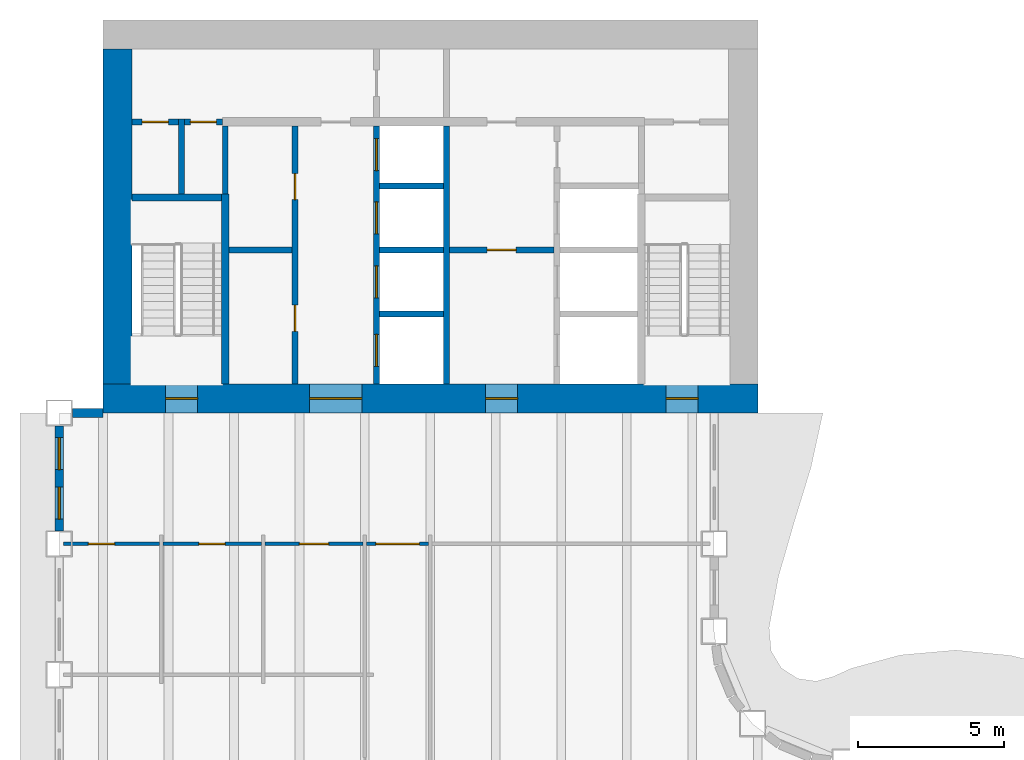
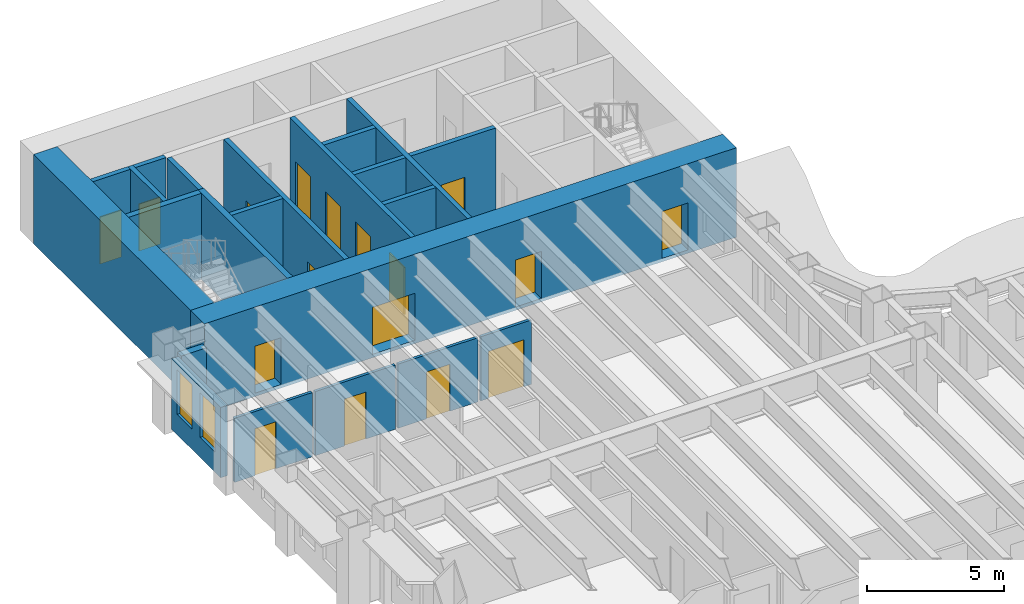
# One storey, part 9 of 17: 22 walls, 17 doors, 2 windows, 19 openings.
"""IFC4 building model written with IfcOpenShell, lengths in metres."""

from ifc_helpers import new_model, si_unit, direction, frame, frame_2d, origin, place, context, subcontext, project, spatial, rectangle, extrude, material, layer, layer_set, type_object, element, fill, save


model = new_model("IFC4")

# Units and contexts
model_context = context("Model", 3, precision=1e-05, world=origin(), true_north=direction((0.0, 1.0)))
body_context = subcontext(model_context, "Body", "Model", "MODEL_VIEW")
ifc_project = project(units=[si_unit("LENGTHUNIT", "METRE"), si_unit("AREAUNIT", "SQUARE_METRE"), si_unit("VOLUMEUNIT", "CUBIC_METRE"), si_unit("PLANEANGLEUNIT", "RADIAN"), si_unit("MASSUNIT", "GRAM", prefix="KILO")], contexts=[model_context])

# Site, building, storey
site_placement = place(None, origin())
site = spatial("IfcSite", under=ifc_project, at=site_placement, CompositionType="ELEMENT")
building_placement = place(site_placement, origin())
building = spatial("IfcBuilding", under=site, at=building_placement, Name="Sennacour Bend Tower", CompositionType="ELEMENT")
storey_placement = place(building_placement, frame((0.0, 0.0, 155.0)))
storey = spatial("IfcBuildingStorey", under=building, at=storey_placement, Name="L35", CompositionType="ELEMENT", Elevation=155.0)

# Wall, openings, doors
ifc_material_1 = material(Name="Concrete C60/75", Category="concrete")
ifc_layer_1 = layer(ifc_material_1, 1.0, Name="Concrete C60/75", Category="concrete")
ifc_layer_set_1 = layer_set([ifc_layer_1], Name="Concrete C60/75")
wall_type_1 = type_object("IfcWallType", Name="Core wall 1000 C60/75", PredefinedType="SHEAR", material=ifc_layer_set_1)
wall_1_placement = place(storey_placement, frame((0.0, 36.5, -0.14990234375), z_axis=(0.0, 0.0, 1.0), x_axis=(1.0, 0.0, 0.0)))
wall_1 = element("IfcWall", 1, at=wall_1_placement, inside=storey, type_object=wall_type_1, Name="Core B wall L35 S", PredefinedType="SHEAR", context=body_context, shape_type="SweptSolid", body=[
    extrude(rectangle(XDim=22.5, YDim=1.0, at=frame_2d((11.25, 0.0))), origin(), (0.0, 0.0, 1.0), 4.0),
])
opening_1_placement = place(wall_1_placement, frame((7.10009765625, 0.0, 0.14990234375)))
opening_1 = element("IfcOpeningElement", 2, at=opening_1_placement, cuts=wall_1, Name="Opening CD", PredefinedType="OPENING", context=body_context, shape_type="SweptSolid", body=[
    extrude(rectangle(XDim=1.800048828125, YDim=2.10009765625, at=frame_2d((0.89990234375, 1.050048828125))), frame((0.0, 0.510009765625, 0.0), z_axis=(0.0, -1.0, 0.0), x_axis=(1.0, 0.0, 0.0)), (0.0, 0.0, 1.0), 1.02001953125),
])
opening_2_placement = place(wall_1_placement, frame((13.14990234375, 0.0, 0.14990234375)))
opening_2 = element("IfcOpeningElement", 3, at=opening_2_placement, cuts=wall_1, Name="Opening FD", PredefinedType="OPENING", context=body_context, shape_type="SweptSolid", body=[
    extrude(rectangle(XDim=1.10009765625, YDim=2.10009765625, at=frame_2d((0.550048828125, 1.050048828125))), frame((0.0, 0.510009765625, 0.0), z_axis=(0.0, -1.0, 0.0), x_axis=(1.0, 0.0, 0.0)), (0.0, 0.0, 1.0), 1.02001953125),
])
opening_3_placement = place(wall_1_placement, frame((2.14990234375, 0.0, 0.14990234375)))
opening_3 = element("IfcOpeningElement", 4, at=opening_3_placement, cuts=wall_1, Name="Opening SD", PredefinedType="OPENING", context=body_context, shape_type="SweptSolid", body=[
    extrude(rectangle(XDim=1.10009765625, YDim=2.10009765625, at=frame_2d((0.550048828125, 1.050048828125))), frame((0.0, 0.510009765625, 0.0), z_axis=(0.0, -1.0, 0.0), x_axis=(1.0, 0.0, 0.0)), (0.0, 0.0, 1.0), 1.02001953125),
])
opening_4_placement = place(wall_1_placement, frame((19.35009765625, 0.0, 0.14990234375)))
opening_4 = element("IfcOpeningElement", 5, at=opening_4_placement, cuts=wall_1, Name="Opening SD", PredefinedType="OPENING", context=body_context, shape_type="SweptSolid", body=[
    extrude(rectangle(XDim=1.10009765625, YDim=2.10009765625, at=frame_2d((0.550048828125, 1.050048828125))), frame((0.0, 0.510009765625, 0.0), z_axis=(0.0, -1.0, 0.0), x_axis=(1.0, 0.0, 0.0)), (0.0, 0.0, 1.0), 1.02001953125),
])
ifc_material_2 = material(Name="Painted steel", Category="steel")
door_type_1 = type_object("IfcDoorType", Name="DR-FFL-1100", OperationType="NOTDEFINED", PredefinedType="DOOR", material=ifc_material_2)
door_1_placement = place(opening_2_placement, origin())
door_1 = element("IfcDoor", 6, at=door_1_placement, inside=storey, type_object=door_type_1, Name="Door", OperationType="SINGLE_SWING_RIGHT", OverallHeight=2.10009765625, OverallWidth=1.10009765625, PredefinedType="DOOR", context=body_context, shape_type="SweptSolid", body=[
    extrude(rectangle(XDim=1.10009765625, YDim=2.10009765625, at=frame_2d((0.550048828125, 1.050048828125))), frame((0.0, 0.02490234375, 0.0), z_axis=(0.0, -1.0, 0.0), x_axis=(1.0, 0.0, 0.0)), (0.0, 0.0, 1.0), 0.050048828125),
])
fill(opening_2, door_1)
door_type_2 = type_object("IfcDoorType", Name="DR-LOBBY-1800", OperationType="NOTDEFINED", PredefinedType="DOOR", material=ifc_material_2)
door_2_placement = place(opening_1_placement, origin())
door_2 = element("IfcDoor", 7, at=door_2_placement, inside=storey, type_object=door_type_2, Name="Door", OperationType="DOUBLE_DOOR_SINGLE_SWING", OverallHeight=2.10009765625, OverallWidth=1.800048828125, PredefinedType="DOOR", context=body_context, shape_type="SweptSolid", body=[
    extrude(rectangle(XDim=1.800048828125, YDim=2.10009765625, at=frame_2d((0.89990234375, 1.050048828125))), frame((0.0, 0.02490234375, 0.0), z_axis=(0.0, -1.0, 0.0), x_axis=(1.0, 0.0, 0.0)), (0.0, 0.0, 1.0), 0.050048828125),
])
fill(opening_1, door_2)
door_type_3 = type_object("IfcDoorType", Name="DR-STAIR-1100", OperationType="NOTDEFINED", PredefinedType="DOOR", material=ifc_material_2)
door_3_placement = place(opening_3_placement, origin())
door_3 = element("IfcDoor", 8, at=door_3_placement, inside=storey, type_object=door_type_3, Name="Door", OperationType="SINGLE_SWING_LEFT", OverallHeight=2.10009765625, OverallWidth=1.10009765625, PredefinedType="DOOR", context=body_context, shape_type="SweptSolid", body=[
    extrude(rectangle(XDim=1.10009765625, YDim=2.10009765625, at=frame_2d((0.550048828125, 1.050048828125))), frame((0.0, 0.02490234375, 0.0), z_axis=(0.0, -1.0, 0.0), x_axis=(1.0, 0.0, 0.0)), (0.0, 0.0, 1.0), 0.050048828125),
])
fill(opening_3, door_3)
door_4_placement = place(opening_4_placement, origin())
door_4 = element("IfcDoor", 9, at=door_4_placement, inside=storey, type_object=door_type_3, Name="Door", OperationType="SINGLE_SWING_RIGHT", OverallHeight=2.10009765625, OverallWidth=1.10009765625, PredefinedType="DOOR", context=body_context, shape_type="SweptSolid", body=[
    extrude(rectangle(XDim=1.10009765625, YDim=2.10009765625, at=frame_2d((0.550048828125, 1.050048828125))), frame((0.0, 0.02490234375, 0.0), z_axis=(0.0, -1.0, 0.0), x_axis=(1.0, 0.0, 0.0)), (0.0, 0.0, 1.0), 0.050048828125),
])
fill(opening_4, door_4)

# Wall
wall_2_placement = place(storey_placement, frame((0.5, 37.0, -0.14990234375), z_axis=(0.0, 0.0, 1.0), x_axis=(0.0, 1.0, 0.0)))
element("IfcWall", 10, at=wall_2_placement, inside=storey, type_object=wall_type_1, Name="Core B wall L35 W", PredefinedType="SHEAR", context=body_context, shape_type="SweptSolid", body=[
    extrude(rectangle(XDim=11.5, YDim=1.0, at=frame_2d((5.75, 0.0))), origin(), (0.0, 0.0, 1.0), 4.0),
])

# Wall, opening, door
ifc_material_3 = material(Name="Plasterboard partition on steel studs", Category="steel")
ifc_layer_2 = layer(ifc_material_3, 0.1201171875, Name="Plasterboard partition on steel studs", Category="steel")
ifc_layer_set_2 = layer_set([ifc_layer_2], Name="Plasterboard partition on steel studs")
wall_type_2 = type_object("IfcWallType", Name="Partition 120", PredefinedType="PARTITIONING", material=ifc_layer_set_2)
wall_3_placement = place(storey_placement, frame((-1.35009765625, 31.5, 0.0), z_axis=(0.0, 0.0, 1.0), x_axis=(1.0, 0.0, 0.0)))
wall_3 = element("IfcWall", 11, at=wall_3_placement, inside=storey, type_object=wall_type_2, Name="P-L35-W074aa", PredefinedType="PARTITIONING", context=body_context, shape_type="SweptSolid", body=[
    extrude(rectangle(XDim=3.2900390625, YDim=0.1201171875, at=frame_2d((1.64501953125, 0.0))), origin(), (0.0, 0.0, 1.0), 2.8701171875),
])
opening_5_placement = place(wall_3_placement, frame((0.85009765625, 0.0, 0.0)))
opening_5 = element("IfcOpeningElement", 12, at=opening_5_placement, cuts=wall_3, Name="Opening WD", PredefinedType="OPENING", context=body_context, shape_type="SweptSolid", body=[
    extrude(rectangle(XDim=0.89990234375, YDim=2.10009765625, at=frame_2d((0.449951171875, 1.050048828125))), frame((0.0, 0.070068359375, 0.0), z_axis=(0.0, -1.0, 0.0), x_axis=(1.0, 0.0, 0.0)), (0.0, 0.0, 1.0), 0.14013671875),
])
ifc_material_4 = material(Name="Timber", Category="wood")
door_type_4 = type_object("IfcDoorType", Name="DR-WC-900", OperationType="NOTDEFINED", PredefinedType="DOOR", material=ifc_material_4)
door_5_placement = place(opening_5_placement, origin())
door_5 = element("IfcDoor", 13, at=door_5_placement, inside=storey, type_object=door_type_4, Name="Door", OperationType="SINGLE_SWING_LEFT", OverallHeight=2.10009765625, OverallWidth=0.89990234375, PredefinedType="DOOR", context=body_context, shape_type="SweptSolid", body=[
    extrude(rectangle(XDim=0.89990234375, YDim=2.10009765625, at=frame_2d((0.449951171875, 1.050048828125))), frame((0.0, 0.02490234375, 0.0), z_axis=(0.0, -1.0, 0.0), x_axis=(1.0, 0.0, 0.0)), (0.0, 0.0, 1.0), 0.050048828125),
])
fill(opening_5, door_5)

wall_4_placement = place(storey_placement, frame((2.06005859375, 31.5, 0.0), z_axis=(0.0, 0.0, 1.0), x_axis=(1.0, 0.0, 0.0)))
wall_4 = element("IfcWall", 14, at=wall_4_placement, inside=storey, type_object=wall_type_2, Name="P-L35-W074ab", PredefinedType="PARTITIONING", context=body_context, shape_type="SweptSolid", body=[
    extrude(rectangle(XDim=3.3798828125, YDim=0.1201171875, at=frame_2d((1.68994140625, 0.0))), origin(), (0.0, 0.0, 1.0), 2.8701171875),
])
opening_6_placement = place(wall_4_placement, frame((1.239990234375, 0.0, 0.0)))
opening_6 = element("IfcOpeningElement", 15, at=opening_6_placement, cuts=wall_4, Name="Opening WD", PredefinedType="OPENING", context=body_context, shape_type="SweptSolid", body=[
    extrude(rectangle(XDim=0.89990234375, YDim=2.10009765625, at=frame_2d((0.449951171875, 1.050048828125))), frame((0.0, 0.070068359375, 0.0), z_axis=(0.0, -1.0, 0.0), x_axis=(1.0, 0.0, 0.0)), (0.0, 0.0, 1.0), 0.14013671875),
])
door_6_placement = place(opening_6_placement, origin())
door_6 = element("IfcDoor", 16, at=door_6_placement, inside=storey, type_object=door_type_4, Name="Door", OperationType="SINGLE_SWING_LEFT", OverallHeight=2.10009765625, OverallWidth=0.89990234375, PredefinedType="DOOR", context=body_context, shape_type="SweptSolid", body=[
    extrude(rectangle(XDim=0.89990234375, YDim=2.10009765625, at=frame_2d((0.449951171875, 1.050048828125))), frame((0.0, 0.02490234375, 0.0), z_axis=(0.0, -1.0, 0.0), x_axis=(1.0, 0.0, 0.0)), (0.0, 0.0, 1.0), 0.050048828125),
])
fill(opening_6, door_6)

wall_5_placement = place(storey_placement, frame((5.56005859375, 31.5, 0.0), z_axis=(0.0, 0.0, 1.0), x_axis=(1.0, 0.0, 0.0)))
wall_5 = element("IfcWall", 17, at=wall_5_placement, inside=storey, type_object=wall_type_2, Name="P-L35-W074ac", PredefinedType="PARTITIONING", context=body_context, shape_type="SweptSolid", body=[
    extrude(rectangle(XDim=3.3798828125, YDim=0.1201171875, at=frame_2d((1.68994140625, 0.0))), origin(), (0.0, 0.0, 1.0), 2.8701171875),
])
opening_7_placement = place(wall_5_placement, frame((1.18994140625, 0.0, 0.0)))
opening_7 = element("IfcOpeningElement", 18, at=opening_7_placement, cuts=wall_5, Name="Opening AD", PredefinedType="OPENING", context=body_context, shape_type="SweptSolid", body=[
    extrude(rectangle(XDim=1.0, YDim=2.10009765625, at=frame_2d((0.5, 1.050048828125))), frame((0.0, 0.070068359375, 0.0), z_axis=(0.0, -1.0, 0.0), x_axis=(1.0, 0.0, 0.0)), (0.0, 0.0, 1.0), 0.14013671875),
])
door_type_5 = type_object("IfcDoorType", Name="DR-ACC-WC-1000", OperationType="NOTDEFINED", PredefinedType="DOOR", material=ifc_material_4)
door_7_placement = place(opening_7_placement, origin())
door_7 = element("IfcDoor", 19, at=door_7_placement, inside=storey, type_object=door_type_5, Name="Door", OperationType="SINGLE_SWING_LEFT", OverallHeight=2.10009765625, OverallWidth=1.0, PredefinedType="DOOR", context=body_context, shape_type="SweptSolid", body=[
    extrude(rectangle(XDim=1.0, YDim=2.10009765625, at=frame_2d((0.5, 1.050048828125))), frame((0.0, 0.02490234375, 0.0), z_axis=(0.0, -1.0, 0.0), x_axis=(1.0, 0.0, 0.0)), (0.0, 0.0, 1.0), 0.050048828125),
])
fill(opening_7, door_7)

ifc_layer_3 = layer(ifc_material_3, 0.1201171875, Name="Plasterboard partition on steel studs", Category="steel")
ifc_layer_set_3 = layer_set([ifc_layer_3], Name="Plasterboard partition on steel studs")
wall_type_3 = type_object("IfcWallType", Name="Partition 120 EI 30", PredefinedType="PARTITIONING", material=ifc_layer_set_3)
wall_6_placement = place(storey_placement, frame((9.06005859375, 31.5, 0.0), z_axis=(0.0, 0.0, 1.0), x_axis=(1.0, 0.0, 0.0)))
wall_6 = element("IfcWall", 20, at=wall_6_placement, inside=storey, type_object=wall_type_3, Name="P-L35-W074ad", PredefinedType="PARTITIONING", context=body_context, shape_type="SweptSolid", body=[
    extrude(rectangle(XDim=2.1298828125, YDim=0.1201171875, at=frame_2d((1.06494140625, 0.0))), origin(), (0.0, 0.0, 1.0), 2.8701171875),
])
opening_8_placement = place(wall_6_placement, frame((0.31494140625, 0.0, 0.0)))
opening_8 = element("IfcOpeningElement", 21, at=opening_8_placement, cuts=wall_6, Name="Opening KD", PredefinedType="OPENING", context=body_context, shape_type="SweptSolid", body=[
    extrude(rectangle(XDim=1.5, YDim=2.10009765625, at=frame_2d((0.75, 1.050048828125))), frame((0.0, 0.070068359375, 0.0), z_axis=(0.0, -1.0, 0.0), x_axis=(1.0, 0.0, 0.0)), (0.0, 0.0, 1.0), 0.14013671875),
])
door_type_6 = type_object("IfcDoorType", Name="DR-CORRIDOR-1500", OperationType="NOTDEFINED", PredefinedType="DOOR", material=ifc_material_2)
door_8_placement = place(opening_8_placement, origin())
door_8 = element("IfcDoor", 22, at=door_8_placement, inside=storey, type_object=door_type_6, Name="Door", OperationType="SINGLE_SWING_LEFT", OverallHeight=2.10009765625, OverallWidth=1.5, PredefinedType="DOOR", context=body_context, shape_type="SweptSolid", body=[
    extrude(rectangle(XDim=1.5, YDim=2.10009765625, at=frame_2d((0.75, 1.050048828125))), frame((0.0, 0.02490234375, 0.0), z_axis=(0.0, -1.0, 0.0), x_axis=(1.0, 0.0, 0.0)), (0.0, 0.0, 1.0), 0.050048828125),
])
fill(opening_8, door_8)

# Walls
ifc_material_5 = material(Name="Fire-rated plasterboard partition on steel studs", Category="steel")
ifc_layer_4 = layer(ifc_material_5, 0.199951171875, Name="Fire-rated plasterboard partition on steel studs", Category="steel")
ifc_layer_set_4 = layer_set([ifc_layer_4], Name="Fire-rated plasterboard partition on steel studs")
wall_type_4 = type_object("IfcWallType", Name="Rated partition 200", PredefinedType="PARTITIONING", material=ifc_layer_set_4)
wall_7_placement = place(storey_placement, frame((2.699951171875, 43.52490234375, 0.0), z_axis=(0.0, 0.0, 1.0), x_axis=(0.0, 1.0, 0.0)))
element("IfcWall", 23, at=wall_7_placement, inside=storey, type_object=wall_type_4, Name="P-L35-W005", PredefinedType="PARTITIONING", context=body_context, shape_type="SweptSolid", body=[
    extrude(rectangle(XDim=2.5751953125, YDim=0.199951171875, at=frame_2d((1.28759765625, 0.0))), origin(), (0.0, 0.0, 1.0), 3.85009765625),
])
wall_8_placement = place(storey_placement, frame((4.199951171875, 43.52490234375, 0.0), z_axis=(0.0, 0.0, 1.0), x_axis=(0.0, 1.0, 0.0)))
element("IfcWall", 24, at=wall_8_placement, inside=storey, type_object=wall_type_4, Name="P-L35-W007", PredefinedType="PARTITIONING", context=body_context, shape_type="SweptSolid", body=[
    extrude(rectangle(XDim=2.3251953125, YDim=0.199951171875, at=frame_2d((1.16259765625, 0.0))), origin(), (0.0, 0.0, 1.0), 3.85009765625),
])

# Wall, openings, doors
wall_9_placement = place(storey_placement, frame((6.60009765625, 37.0, 0.0), z_axis=(0.0, 0.0, 1.0), x_axis=(0.0, 1.0, 0.0)))
wall_9 = element("IfcWall", 25, at=wall_9_placement, inside=storey, type_object=wall_type_4, Name="P-L35-W009", PredefinedType="PARTITIONING", context=body_context, shape_type="SweptSolid", body=[
    extrude(rectangle(XDim=8.85009765625, YDim=0.199951171875, at=frame_2d((4.425048828125, 0.0))), origin(), (0.0, 0.0, 1.0), 3.85009765625),
])
opening_9_placement = place(wall_9_placement, frame((1.800048828125, 0.0, 0.0)))
opening_9 = element("IfcOpeningElement", 26, at=opening_9_placement, cuts=wall_9, Name="Opening SV", PredefinedType="OPENING", context=body_context, shape_type="SweptSolid", body=[
    extrude(rectangle(XDim=0.89990234375, YDim=2.10009765625, at=frame_2d((0.449951171875, 1.050048828125))), frame((0.0, 0.10986328125, 0.0), z_axis=(0.0, -1.0, 0.0), x_axis=(1.0, 0.0, 0.0)), (0.0, 0.0, 1.0), 0.219970703125),
])
opening_10_placement = place(wall_9_placement, frame((6.324951171875, 0.0, 0.0)))
opening_10 = element("IfcOpeningElement", 27, at=opening_10_placement, cuts=wall_9, Name="Opening SV", PredefinedType="OPENING", context=body_context, shape_type="SweptSolid", body=[
    extrude(rectangle(XDim=0.89990234375, YDim=2.10009765625, at=frame_2d((0.449951171875, 1.050048828125))), frame((0.0, 0.10986328125, 0.0), z_axis=(0.0, -1.0, 0.0), x_axis=(1.0, 0.0, 0.0)), (0.0, 0.0, 1.0), 0.219970703125),
])
door_type_7 = type_object("IfcDoorType", Name="DR-SERVICE-900", OperationType="NOTDEFINED", PredefinedType="DOOR", material=ifc_material_2)
door_9_placement = place(opening_9_placement, origin())
door_9 = element("IfcDoor", 28, at=door_9_placement, inside=storey, type_object=door_type_7, Name="Door", OperationType="SINGLE_SWING_LEFT", OverallHeight=2.10009765625, OverallWidth=0.89990234375, PredefinedType="DOOR", context=body_context, shape_type="SweptSolid", body=[
    extrude(rectangle(XDim=0.89990234375, YDim=2.10009765625, at=frame_2d((0.449951171875, 1.050048828125))), frame((0.0, 0.02490234375, 0.0), z_axis=(0.0, -1.0, 0.0), x_axis=(1.0, 0.0, 0.0)), (0.0, 0.0, 1.0), 0.050048828125),
])
fill(opening_9, door_9)
door_10_placement = place(opening_10_placement, origin())
door_10 = element("IfcDoor", 29, at=door_10_placement, inside=storey, type_object=door_type_7, Name="Door", OperationType="SINGLE_SWING_RIGHT", OverallHeight=2.10009765625, OverallWidth=0.89990234375, PredefinedType="DOOR", context=body_context, shape_type="SweptSolid", body=[
    extrude(rectangle(XDim=0.89990234375, YDim=2.10009765625, at=frame_2d((0.449951171875, 1.050048828125))), frame((0.0, 0.02490234375, 0.0), z_axis=(0.0, -1.0, 0.0), x_axis=(1.0, 0.0, 0.0)), (0.0, 0.0, 1.0), 0.050048828125),
])
fill(opening_10, door_10)

# Wall
wall_10_placement = place(storey_placement, frame((4.324951171875, 41.60009765625, 0.0), z_axis=(0.0, 0.0, 1.0), x_axis=(1.0, 0.0, 0.0)))
element("IfcWall", 30, at=wall_10_placement, inside=storey, type_object=wall_type_4, Name="P-L35-W078", PredefinedType="PARTITIONING", context=body_context, shape_type="SweptSolid", body=[
    extrude(rectangle(XDim=2.175048828125, YDim=0.199951171875, at=frame_2d((1.08740234375, 0.0))), origin(), (0.0, 0.0, 1.0), 3.85009765625),
])

# Wall, opening, door
wall_11_placement = place(storey_placement, frame((1.0, 46.0, 0.0), z_axis=(0.0, 0.0, 1.0), x_axis=(1.0, 0.0, 0.0)))
wall_11 = element("IfcWall", 31, at=wall_11_placement, inside=storey, type_object=wall_type_4, Name="P-L35-W086a", PredefinedType="PARTITIONING", context=body_context, shape_type="SweptSolid", body=[
    extrude(rectangle(XDim=1.60009765625, YDim=0.199951171875, at=frame_2d((0.800048828125, 0.0))), origin(), (0.0, 0.0, 1.0), 3.85009765625),
])
opening_11_placement = place(wall_11_placement, frame((0.35009765625, 0.0, 0.0)))
opening_11 = element("IfcOpeningElement", 32, at=opening_11_placement, cuts=wall_11, Name="Opening SV", PredefinedType="OPENING", context=body_context, shape_type="SweptSolid", body=[
    extrude(rectangle(XDim=0.89990234375, YDim=2.10009765625, at=frame_2d((0.449951171875, 1.050048828125))), frame((0.0, 0.10986328125, 0.0), z_axis=(0.0, -1.0, 0.0), x_axis=(1.0, 0.0, 0.0)), (0.0, 0.0, 1.0), 0.219970703125),
])
door_11_placement = place(opening_11_placement, origin())
door_11 = element("IfcDoor", 33, at=door_11_placement, inside=storey, type_object=door_type_7, Name="Door", OperationType="SINGLE_SWING_LEFT", OverallHeight=2.10009765625, OverallWidth=0.89990234375, PredefinedType="DOOR", context=body_context, shape_type="SweptSolid", body=[
    extrude(rectangle(XDim=0.89990234375, YDim=2.10009765625, at=frame_2d((0.449951171875, 1.050048828125))), frame((0.0, 0.02490234375, 0.0), z_axis=(0.0, -1.0, 0.0), x_axis=(1.0, 0.0, 0.0)), (0.0, 0.0, 1.0), 0.050048828125),
])
fill(opening_11, door_11)

wall_12_placement = place(storey_placement, frame((2.800048828125, 46.0, 0.0), z_axis=(0.0, 0.0, 1.0), x_axis=(1.0, 0.0, 0.0)))
wall_12 = element("IfcWall", 34, at=wall_12_placement, inside=storey, type_object=wall_type_4, Name="P-L35-W086b", PredefinedType="PARTITIONING", context=body_context, shape_type="SweptSolid", body=[
    extrude(rectangle(XDim=1.300048828125, YDim=0.199951171875, at=frame_2d((0.64990234375, 0.0))), origin(), (0.0, 0.0, 1.0), 3.85009765625),
])
opening_12_placement = place(wall_12_placement, frame((0.199951171875, 0.0, 0.0)))
opening_12 = element("IfcOpeningElement", 35, at=opening_12_placement, cuts=wall_12, Name="Opening SV", PredefinedType="OPENING", context=body_context, shape_type="SweptSolid", body=[
    extrude(rectangle(XDim=0.89990234375, YDim=2.10009765625, at=frame_2d((0.449951171875, 1.050048828125))), frame((0.0, 0.10986328125, 0.0), z_axis=(0.0, -1.0, 0.0), x_axis=(1.0, 0.0, 0.0)), (0.0, 0.0, 1.0), 0.219970703125),
])
door_12_placement = place(opening_12_placement, origin())
door_12 = element("IfcDoor", 36, at=door_12_placement, inside=storey, type_object=door_type_7, Name="Door", OperationType="SINGLE_SWING_LEFT", OverallHeight=2.10009765625, OverallWidth=0.89990234375, PredefinedType="DOOR", context=body_context, shape_type="SweptSolid", body=[
    extrude(rectangle(XDim=0.89990234375, YDim=2.10009765625, at=frame_2d((0.449951171875, 1.050048828125))), frame((0.0, 0.02490234375, 0.0), z_axis=(0.0, -1.0, 0.0), x_axis=(1.0, 0.0, 0.0)), (0.0, 0.0, 1.0), 0.050048828125),
])
fill(opening_12, door_12)

ifc_layer_5 = layer(ifc_material_5, 0.199951171875, Name="Fire-rated plasterboard partition on steel studs", Category="steel")
ifc_layer_set_5 = layer_set([ifc_layer_5], Name="Fire-rated plasterboard partition on steel studs")
wall_type_5 = type_object("IfcWallType", Name="Rated partition 200 EI 90", PredefinedType="PARTITIONING", material=ifc_layer_set_5)
wall_13_placement = place(storey_placement, frame((11.89990234375, 41.60009765625, 0.0), z_axis=(0.0, 0.0, 1.0), x_axis=(1.0, 0.0, 0.0)))
wall_13 = element("IfcWall", 37, at=wall_13_placement, inside=storey, type_object=wall_type_5, Name="P-L35-W080", PredefinedType="PARTITIONING", context=body_context, shape_type="SweptSolid", body=[
    extrude(rectangle(XDim=3.60009765625, YDim=0.199951171875, at=frame_2d((1.800048828125, 0.0))), origin(), (0.0, 0.0, 1.0), 3.85009765625),
])
opening_13_placement = place(wall_13_placement, frame((1.300048828125, 0.0, 0.0)))
opening_13 = element("IfcOpeningElement", 38, at=opening_13_placement, cuts=wall_13, Name="Opening FD2", PredefinedType="OPENING", context=body_context, shape_type="SweptSolid", body=[
    extrude(rectangle(XDim=1.0, YDim=2.10009765625, at=frame_2d((0.5, 1.050048828125))), frame((0.0, 0.10986328125, 0.0), z_axis=(0.0, -1.0, 0.0), x_axis=(1.0, 0.0, 0.0)), (0.0, 0.0, 1.0), 0.219970703125),
])
door_type_8 = type_object("IfcDoorType", Name="DR-FFL-1000", OperationType="NOTDEFINED", PredefinedType="DOOR", material=ifc_material_2)
door_13_placement = place(opening_13_placement, origin())
door_13 = element("IfcDoor", 39, at=door_13_placement, inside=storey, type_object=door_type_8, Name="Door", OperationType="SINGLE_SWING_RIGHT", OverallHeight=2.10009765625, OverallWidth=1.0, PredefinedType="DOOR", context=body_context, shape_type="SweptSolid", body=[
    extrude(rectangle(XDim=1.0, YDim=2.10009765625, at=frame_2d((0.5, 1.050048828125))), frame((0.0, 0.02490234375, 0.0), z_axis=(0.0, -1.0, 0.0), x_axis=(1.0, 0.0, 0.0)), (0.0, 0.0, 1.0), 0.050048828125),
])
fill(opening_13, door_13)

# Wall
ifc_material_6 = material(Name="Warm limestone cladding", Category="masonry")
ifc_layer_6 = layer(ifc_material_6, 0.050048828125, Name="Warm limestone cladding", Category="masonry")
ifc_material_7 = material(Name="Precast concrete C40/50", Category="concrete")
ifc_layer_7 = layer(ifc_material_7, 0.25, Name="Precast concrete C40/50", Category="concrete")
ifc_layer_set_6 = layer_set([ifc_layer_6, ifc_layer_7], Name="Precast concrete C40/50 with limestone cladding")
wall_type_6 = type_object("IfcWallType", Name="STONE-CLAD PRECAST SPANDREL 300", PredefinedType="STANDARD", material=ifc_layer_set_6)
wall_14_placement = place(storey_placement, frame((0.0, 36.0, 0.0), z_axis=(0.0, 0.0, 1.0), x_axis=(-1.0, 0.0, 0.0)))
element("IfcWall", 40, at=wall_14_placement, inside=storey, type_object=wall_type_6, Name="Stone spandrel and pier wall L35 20.00", PredefinedType="STANDARD", context=body_context, shape_type="SweptSolid", body=[
    extrude(rectangle(XDim=1.050048828125, YDim=0.300048828125, at=frame_2d((0.52490234375, 0.0))), origin(), (0.0, 0.0, 1.0), 2.8701171875),
])

# Wall, openings, windows
wall_15_placement = place(storey_placement, frame((-1.5, 35.550048828125, 0.0), z_axis=(0.0, 0.0, 1.0), x_axis=(0.0, -1.0, 0.0)))
wall_15 = element("IfcWall", 41, at=wall_15_placement, inside=storey, type_object=wall_type_6, Name="Stone spandrel and pier wall L35 21.00", PredefinedType="STANDARD", context=body_context, shape_type="SweptSolid", body=[
    extrude(rectangle(XDim=3.60009765625, YDim=0.300048828125, at=frame_2d((1.800048828125, 0.0))), origin(), (0.0, 0.0, 1.0), 3.14892578125),
])
opening_14_placement = place(wall_15_placement, frame((0.39990234375, 0.0, 0.89990234375)))
opening_14 = element("IfcOpeningElement", 42, at=opening_14_placement, cuts=wall_15, Name="Opening W19", PredefinedType="OPENING", context=body_context, shape_type="SweptSolid", body=[
    extrude(rectangle(XDim=1.10009765625, YDim=2.0, at=frame_2d((0.550048828125, 1.0))), frame((0.0, 0.16015625, 0.0), z_axis=(0.0, -1.0, 0.0), x_axis=(1.0, 0.0, 0.0)), (0.0, 0.0, 1.0), 0.320068359375),
])
opening_15_placement = place(wall_15_placement, frame((2.10009765625, 0.0, 0.89990234375)))
opening_15 = element("IfcOpeningElement", 43, at=opening_15_placement, cuts=wall_15, Name="Opening W19", PredefinedType="OPENING", context=body_context, shape_type="SweptSolid", body=[
    extrude(rectangle(XDim=1.10009765625, YDim=2.0, at=frame_2d((0.550048828125, 1.0))), frame((0.0, 0.16015625, 0.0), z_axis=(0.0, -1.0, 0.0), x_axis=(1.0, 0.0, 0.0)), (0.0, 0.0, 1.0), 0.320068359375),
])
ifc_material_8 = material(Name="Clear low-emissivity glass", Category="glass")
window_type = type_object("IfcWindowType", Name="WIN-RIBBON-1100x2000", PartitioningType="SINGLE_PANEL", PredefinedType="WINDOW", material=ifc_material_8)
window_1_placement = place(opening_14_placement, origin())
window_1 = element("IfcWindow", 44, at=window_1_placement, inside=storey, type_object=window_type, Name="Ribbon window L35 21.00.0", OverallHeight=2.0, OverallWidth=1.10009765625, PartitioningType="SINGLE_PANEL", PredefinedType="WINDOW", context=body_context, shape_type="SweptSolid", body=[
    extrude(rectangle(XDim=1.10009765625, YDim=2.0, at=frame_2d((0.550048828125, 1.0))), frame((0.0, 0.030029296875, 0.0), z_axis=(0.0, -1.0, 0.0), x_axis=(1.0, 0.0, 0.0)), (0.0, 0.0, 1.0), 0.06005859375),
])
fill(opening_14, window_1)
window_2_placement = place(opening_15_placement, origin())
window_2 = element("IfcWindow", 45, at=window_2_placement, inside=storey, type_object=window_type, Name="Ribbon window L35 21.00.1", OverallHeight=2.0, OverallWidth=1.10009765625, PartitioningType="SINGLE_PANEL", PredefinedType="WINDOW", context=body_context, shape_type="SweptSolid", body=[
    extrude(rectangle(XDim=1.10009765625, YDim=2.0, at=frame_2d((0.550048828125, 1.0))), frame((0.0, 0.030029296875, 0.0), z_axis=(0.0, -1.0, 0.0), x_axis=(1.0, 0.0, 0.0)), (0.0, 0.0, 1.0), 0.06005859375),
])
fill(opening_15, window_2)

# Wall, openings, doors
ifc_material_9 = material(Name="Concrete C50/60", Category="concrete")
ifc_layer_8 = layer(ifc_material_9, 0.199951171875, Name="Concrete C50/60", Category="concrete")
ifc_layer_set_7 = layer_set([ifc_layer_8], Name="Concrete C50/60")
wall_type_7 = type_object("IfcWallType", Name="Shaft wall 200", PredefinedType="SOLIDWALL", material=ifc_layer_set_7)
wall_16_placement = place(storey_placement, frame((9.39990234375, 37.0, 0.0), z_axis=(0.0, 0.0, 1.0), x_axis=(0.0, 1.0, 0.0)))
wall_16 = element("IfcWall", 46, at=wall_16_placement, inside=storey, type_object=wall_type_7, Name="P-L35-W014", PredefinedType="SOLIDWALL", context=body_context, shape_type="SweptSolid", body=[
    extrude(rectangle(XDim=8.85009765625, YDim=0.199951171875, at=frame_2d((4.425048828125, 0.0))), origin(), (0.0, 0.0, 1.0), 3.85009765625),
])
opening_16_placement = place(wall_16_placement, frame((0.60009765625, 0.0, 0.011962890625)))
opening_16 = element("IfcOpeningElement", 47, at=opening_16_placement, cuts=wall_16, Name="Opening LD", PredefinedType="OPENING", context=body_context, shape_type="SweptSolid", body=[
    extrude(rectangle(XDim=1.10009765625, YDim=2.10009765625, at=frame_2d((0.550048828125, 1.050048828125))), frame((0.0, 0.10986328125, 0.0), z_axis=(0.0, -1.0, 0.0), x_axis=(1.0, 0.0, 0.0)), (0.0, 0.0, 1.0), 0.219970703125),
])
opening_17_placement = place(wall_16_placement, frame((2.949951171875, 0.0, 0.011962890625)))
opening_17 = element("IfcOpeningElement", 48, at=opening_17_placement, cuts=wall_16, Name="Opening LD", PredefinedType="OPENING", context=body_context, shape_type="SweptSolid", body=[
    extrude(rectangle(XDim=1.10009765625, YDim=2.10009765625, at=frame_2d((0.550048828125, 1.050048828125))), frame((0.0, 0.10986328125, 0.0), z_axis=(0.0, -1.0, 0.0), x_axis=(1.0, 0.0, 0.0)), (0.0, 0.0, 1.0), 0.219970703125),
])
opening_18_placement = place(wall_16_placement, frame((5.14990234375, 0.0, 0.011962890625)))
opening_18 = element("IfcOpeningElement", 49, at=opening_18_placement, cuts=wall_16, Name="Opening LD", PredefinedType="OPENING", context=body_context, shape_type="SweptSolid", body=[
    extrude(rectangle(XDim=1.10009765625, YDim=2.10009765625, at=frame_2d((0.550048828125, 1.050048828125))), frame((0.0, 0.10986328125, 0.0), z_axis=(0.0, -1.0, 0.0), x_axis=(1.0, 0.0, 0.0)), (0.0, 0.0, 1.0), 0.219970703125),
])
opening_19_placement = place(wall_16_placement, frame((7.324951171875, 0.0, 0.011962890625)))
opening_19 = element("IfcOpeningElement", 50, at=opening_19_placement, cuts=wall_16, Name="Opening LD", PredefinedType="OPENING", context=body_context, shape_type="SweptSolid", body=[
    extrude(rectangle(XDim=1.10009765625, YDim=2.10009765625, at=frame_2d((0.550048828125, 1.050048828125))), frame((0.0, 0.10986328125, 0.0), z_axis=(0.0, -1.0, 0.0), x_axis=(1.0, 0.0, 0.0)), (0.0, 0.0, 1.0), 0.219970703125),
])
ifc_material_10 = material(Name="Stainless steel", Category="steel")
door_type_9 = type_object("IfcDoorType", Name="DR-LANDING-1100", OperationType="NOTDEFINED", PredefinedType="DOOR", material=ifc_material_10)
door_14_placement = place(opening_16_placement, origin())
door_14 = element("IfcDoor", 51, at=door_14_placement, inside=storey, type_object=door_type_9, Name="Lift landing door MB1", OperationType="SLIDING_TO_RIGHT", OverallHeight=2.10009765625, OverallWidth=1.10009765625, PredefinedType="DOOR", context=body_context, shape_type="SweptSolid", body=[
    extrude(rectangle(XDim=1.10009765625, YDim=2.10009765625, at=frame_2d((0.550048828125, 1.050048828125))), frame((0.0, 0.02490234375, 0.0), z_axis=(0.0, -1.0, 0.0), x_axis=(1.0, 0.0, 0.0)), (0.0, 0.0, 1.0), 0.050048828125),
])
fill(opening_16, door_14)
door_15_placement = place(opening_17_placement, origin())
door_15 = element("IfcDoor", 52, at=door_15_placement, inside=storey, type_object=door_type_9, Name="Lift landing door MB2", OperationType="SLIDING_TO_LEFT", OverallHeight=2.10009765625, OverallWidth=1.10009765625, PredefinedType="DOOR", context=body_context, shape_type="SweptSolid", body=[
    extrude(rectangle(XDim=1.10009765625, YDim=2.10009765625, at=frame_2d((0.550048828125, 1.050048828125))), frame((0.0, 0.02490234375, 0.0), z_axis=(0.0, -1.0, 0.0), x_axis=(1.0, 0.0, 0.0)), (0.0, 0.0, 1.0), 0.050048828125),
])
fill(opening_17, door_15)
door_16_placement = place(opening_18_placement, origin())
door_16 = element("IfcDoor", 53, at=door_16_placement, inside=storey, type_object=door_type_9, Name="Lift landing door MB3", OperationType="SLIDING_TO_RIGHT", OverallHeight=2.10009765625, OverallWidth=1.10009765625, PredefinedType="DOOR", context=body_context, shape_type="SweptSolid", body=[
    extrude(rectangle(XDim=1.10009765625, YDim=2.10009765625, at=frame_2d((0.550048828125, 1.050048828125))), frame((0.0, 0.02490234375, 0.0), z_axis=(0.0, -1.0, 0.0), x_axis=(1.0, 0.0, 0.0)), (0.0, 0.0, 1.0), 0.050048828125),
])
fill(opening_18, door_16)
door_17_placement = place(opening_19_placement, origin())
door_17 = element("IfcDoor", 54, at=door_17_placement, inside=storey, type_object=door_type_9, Name="Lift landing door MB4", OperationType="SLIDING_TO_LEFT", OverallHeight=2.10009765625, OverallWidth=1.10009765625, PredefinedType="DOOR", context=body_context, shape_type="SweptSolid", body=[
    extrude(rectangle(XDim=1.10009765625, YDim=2.10009765625, at=frame_2d((0.550048828125, 1.050048828125))), frame((0.0, 0.02490234375, 0.0), z_axis=(0.0, -1.0, 0.0), x_axis=(1.0, 0.0, 0.0)), (0.0, 0.0, 1.0), 0.050048828125),
])
fill(opening_19, door_17)

# Walls
wall_17_placement = place(storey_placement, frame((11.800048828125, 37.0, 0.0), z_axis=(0.0, 0.0, 1.0), x_axis=(0.0, 1.0, 0.0)))
element("IfcWall", 55, at=wall_17_placement, inside=storey, type_object=wall_type_7, Name="P-L35-W017", PredefinedType="SOLIDWALL", context=body_context, shape_type="SweptSolid", body=[
    extrude(rectangle(XDim=8.85009765625, YDim=0.199951171875, at=frame_2d((4.425048828125, 0.0))), origin(), (0.0, 0.0, 1.0), 3.85009765625),
])
for number, where, z_axis, x_axis, name in (
    (56, (9.5, 39.39990234375, 0.0), (0.0, 0.0, 1.0), (1.0, 0.0, 0.0), "P-L35-W076"),
    (57, (9.5, 41.60009765625, 0.0), (0.0, 0.0, 1.0), (1.0, 0.0, 0.0), "P-L35-W079"),
    (58, (9.5, 43.800048828125, 0.0), (0.0, 0.0, 1.0), (1.0, 0.0, 0.0), "P-L35-W084"),
):
    element("IfcWall", number, at=place(storey_placement, frame(where, z_axis=z_axis, x_axis=x_axis)), inside=storey, type_object=wall_type_7, Name=name, PredefinedType="SOLIDWALL", context=body_context, shape_type="SweptSolid", body=[
        extrude(rectangle(XDim=2.199951171875, YDim=0.199951171875, at=frame_2d((1.10009765625, 0.0))), origin(), (0.0, 0.0, 1.0), 3.85009765625),
    ])
ifc_layer_9 = layer(ifc_material_1, 0.25, Name="Concrete C60/75", Category="concrete")
ifc_layer_set_8 = layer_set([ifc_layer_9], Name="Concrete C60/75")
wall_type_8 = type_object("IfcWallType", Name="Stair wall 250", PredefinedType="SHEAR", material=ifc_layer_set_8)
wall_18_placement = place(storey_placement, frame((4.199951171875, 37.0, 0.0), z_axis=(0.0, 0.0, 1.0), x_axis=(0.0, 1.0, 0.0)))
element("IfcWall", 59, at=wall_18_placement, inside=storey, type_object=wall_type_8, Name="P-L35-W006", PredefinedType="SHEAR", context=body_context, shape_type="SweptSolid", body=[
    extrude(rectangle(XDim=6.52490234375, YDim=0.25, at=frame_2d((3.262451171875, 0.0))), origin(), (0.0, 0.0, 1.0), 3.85009765625),
])
wall_19_placement = place(storey_placement, frame((1.0, 43.39990234375, 0.0), z_axis=(0.0, 0.0, 1.0), x_axis=(1.0, 0.0, 0.0)))
element("IfcWall", 60, at=wall_19_placement, inside=storey, type_object=wall_type_8, Name="P-L35-W082", PredefinedType="SHEAR", context=body_context, shape_type="SweptSolid", body=[
    extrude(rectangle(XDim=3.074951171875, YDim=0.25, at=frame_2d((1.53759765625, 0.0))), origin(), (0.0, 0.0, 1.0), 3.85009765625),
])

save(model, "model.ifc")
